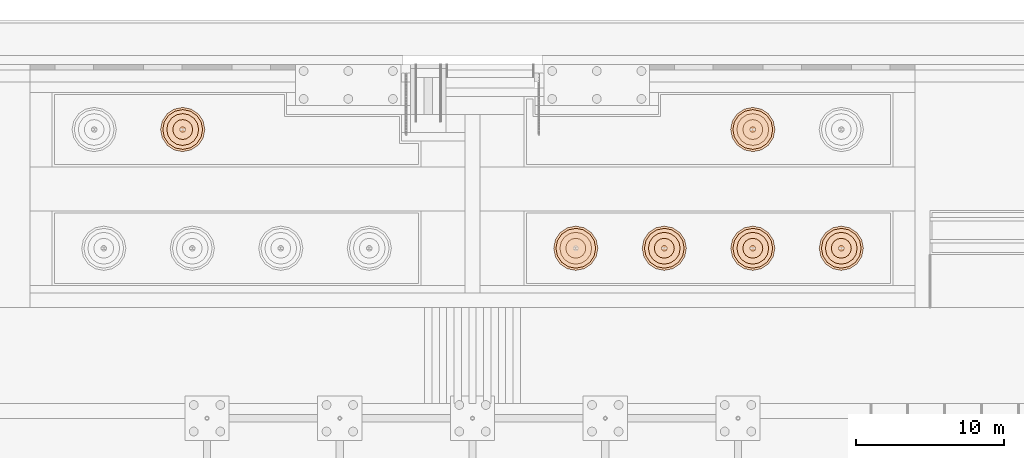
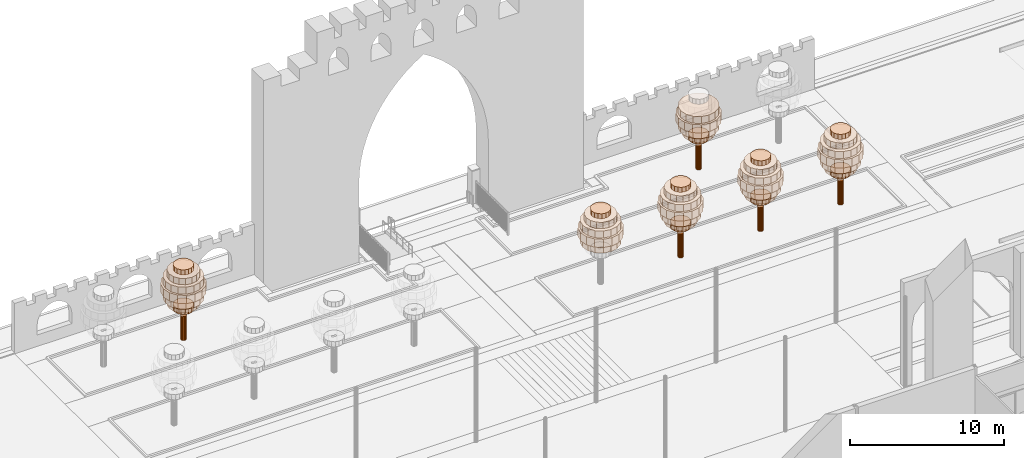
# One storey, part 247 of 250: 43 geographic elements.
"""IFC4 building model written with IfcOpenShell, lengths in metres."""

import ifcopenshell
import ifcopenshell.guid

model = None  # the IFC model being written
_history = None  # IfcOwnerHistory: only IFC2X3 demands one
_inside = {}  # id of a spatial element -> (the spatial element, [elements in it])
_under = {}  # id of a project, library or spatial element -> (it, [spatial elements below it])
_declared = {}  # id of a project -> (the project, [libraries it declares])
_typed = {}  # id of a type object -> (the type object, [elements of that type])
_made_of = {}  # id of a material, layer set ... -> (it, [elements and type objects made of it])


def new_model(schema):
    """Start an empty IFC model of exactly this schema.

    Asked for "IFC4X3", IfcOpenShell would pick the latest addendum, in which some entities
    have other attributes; the version numbers below select the first issue.
    IFC2X3 requires an IfcOwnerHistory on every rooted entity: one is made here for all.
    """
    global model, _history
    if schema == "IFC4X3":
        model = ifcopenshell.file(schema_version=(4, 3, 0, 0))
    else:
        model = ifcopenshell.file(schema=schema)
    _inside.clear()
    _under.clear()
    _declared.clear()
    _typed.clear()
    _made_of.clear()
    _history = None
    if model.schema == "IFC2X3":
        org = make("IfcOrganization", Name="unknown")
        user = make(
            "IfcPersonAndOrganization",
            ThePerson=make("IfcPerson", FamilyName="unknown"),
            TheOrganization=org,
        )
        app = make(
            "IfcApplication",
            ApplicationDeveloper=org,
            Version="unknown",
            ApplicationFullName="unknown",
            ApplicationIdentifier="unknown",
        )
        _history = make(
            "IfcOwnerHistory",
            OwningUser=user,
            OwningApplication=app,
            ChangeAction="ADDED",
            CreationDate=0,
        )
    return model


def make(cls, **values):
    """One entity of the class cls with the attributes given. An attribute that is None is left unset."""
    return model.create_entity(
        cls, **{name: value for name, value in values.items() if value is not None}
    )


def rooted(cls, **values):
    """An entity with a GlobalId (a new one), such as an element, a storey or a relation."""
    return make(cls, GlobalId=ifcopenshell.guid.new(), OwnerHistory=_history, **values)


def si_unit(unit_type, name, prefix=None):
    """IfcSIUnit, for example si_unit("LENGTHUNIT", "METRE", prefix="MILLI")."""
    return make("IfcSIUnit", UnitType=unit_type, Prefix=prefix, Name=name)


def assignment(units):
    """IfcUnitAssignment: the units of a project."""
    return None if units is None else make("IfcUnitAssignment", Units=units)


def point(xyz):
    """IfcCartesianPoint."""
    return None if xyz is None else make("IfcCartesianPoint", Coordinates=xyz)


def direction(xyz):
    """IfcDirection."""
    return None if xyz is None else make("IfcDirection", DirectionRatios=xyz)


def frame(location, z_axis=None, x_axis=None):
    """IfcAxis2Placement3D, a coordinate frame: its origin and axes. An axis left out is left unset."""
    return make(
        "IfcAxis2Placement3D",
        Location=point(location),
        Axis=direction(z_axis),
        RefDirection=direction(x_axis),
    )


def origin():
    """The frame at (0, 0, 0) with its axes left unset."""
    return frame((0.0, 0.0, 0.0))


def place(relative_to, where):
    """IfcLocalPlacement: puts the frame where relative to a parent placement (None: the world)."""
    return make(
        "IfcLocalPlacement", PlacementRelTo=relative_to, RelativePlacement=where
    )


def context(
    kind, dimensions, precision=None, world=None, true_north=None, identifier=None
):
    """IfcGeometricRepresentationContext, for example the 3D "Model" context."""
    return make(
        "IfcGeometricRepresentationContext",
        ContextIdentifier=identifier,
        ContextType=kind,
        CoordinateSpaceDimension=dimensions,
        Precision=precision,
        WorldCoordinateSystem=world,
        TrueNorth=true_north,
    )


def subcontext(parent, identifier, kind, view, scale=None):
    """IfcGeometricRepresentationSubContext, for example "Body" below "Model"."""
    return make(
        "IfcGeometricRepresentationSubContext",
        ContextIdentifier=identifier,
        ContextType=kind,
        ParentContext=parent,
        TargetScale=scale,
        TargetView=view,
    )


def project(units=None, contexts=None):
    """IfcProject with its units and contexts."""
    return rooted(
        "IfcProject",
        Name="project",
        RepresentationContexts=contexts,
        UnitsInContext=assignment(units),
    )


def spatial(cls, under=None, at=None, **own):
    """A site, building, storey or space (cls), placed at a placement, below another one or the project."""
    s = rooted(cls, ObjectPlacement=at, **own)
    if under is not None:
        _under.setdefault(under.id(), (under, []))[1].append(s)
    return s


def polyline(points):
    """IfcPolyline through the points."""
    return make("IfcPolyline", Points=[point(p) for p in points])


def outline(outer, holes=None, kind="AREA"):
    """IfcArbitraryClosedProfileDef: a profile drawn as a closed curve; with holes, ...WithVoids."""
    if holes is None:
        return make("IfcArbitraryClosedProfileDef", ProfileType=kind, OuterCurve=outer)
    return make(
        "IfcArbitraryProfileDefWithVoids",
        ProfileType=kind,
        OuterCurve=outer,
        InnerCurves=holes,
    )


def extrude(swept, where, along, depth):
    """IfcExtrudedAreaSolid: the profile swept, set in the frame where, extruded along a direction by depth."""
    return make(
        "IfcExtrudedAreaSolid",
        SweptArea=swept,
        Position=where,
        ExtrudedDirection=direction(along),
        Depth=depth,
    )


def shape(context_of_items, identifier, shape_type, items):
    """IfcShapeRepresentation: the items that make up one representation, for example the "Body"."""
    return make(
        "IfcShapeRepresentation",
        ContextOfItems=context_of_items,
        RepresentationIdentifier=identifier,
        RepresentationType=shape_type,
        Items=items,
    )


def material(Name=None, Category=None):
    """IfcMaterial."""
    return make("IfcMaterial", Name=Name, Category=Category)


def made_of(thing, what):
    """Note that an element or type object is made of a material, layer set ...; save() writes the relation."""
    if what is not None:
        _made_of.setdefault(what.id(), (what, []))[1].append(thing)
    return thing


def type_object(cls, material=None, **own):
    """A type object (cls), such as IfcWallType, which elements share."""
    return made_of(rooted(cls, **own), material)


def element(
    cls,
    number,
    at=None,
    inside=None,
    cuts=None,
    type_object=None,
    material=None,
    context=None,
    identifier="Body",
    shape_type=None,
    held_by="IfcProductDefinitionShape",
    body=None,
    shapes=None,
    **own,
):
    """One element of the class cls, such as IfcWall. Its Tag is "e" and its number.

    at: its placement. inside: the storey or other place that contains it. cuts: it is an
    opening in that element (IfcRelVoidsElement). A single representation is given by context,
    identifier, shape_type and body (its items); several are given by shapes. held_by: the class
    of the entity that holds the representations. save() writes the other relations.
    """
    e = rooted(cls, Tag="e%d" % number, ObjectPlacement=at, **own)
    if body is not None:
        shapes = [shape(context, identifier, shape_type, body)]
    if shapes is not None:
        e.Representation = make(held_by, Representations=shapes)
    if inside is not None:
        _inside.setdefault(inside.id(), (inside, []))[1].append(e)
    if cuts is not None:
        rooted(
            "IfcRelVoidsElement", RelatingBuildingElement=cuts, RelatedOpeningElement=e
        )
    if type_object is not None:
        _typed.setdefault(type_object.id(), (type_object, []))[1].append(e)
    return made_of(e, material)


def aggregate(whole, parts):
    """IfcRelAggregates: a whole, such as a stair, and the parts it consists of."""
    return rooted("IfcRelAggregates", RelatingObject=whole, RelatedObjects=parts)


def save(model, path):
    """Write the relations noted so far, then the file.

    IfcRelAggregates (storeys below a building ...), IfcRelContainedInSpatialStructure (elements
    in a storey), IfcRelDefinesByType, IfcRelAssociatesMaterial and IfcRelDeclares: one each for
    every whole, place, type object, material and project.
    """
    for whole, parts in _under.values():
        aggregate(whole, parts)
    for where, things in _inside.values():
        rooted(
            "IfcRelContainedInSpatialStructure",
            RelatedElements=things,
            RelatingStructure=where,
        )
    for kind, things in _typed.values():
        rooted("IfcRelDefinesByType", RelatedObjects=things, RelatingType=kind)
    for what, things in _made_of.values():
        rooted("IfcRelAssociatesMaterial", RelatedObjects=things, RelatingMaterial=what)
    for by, libraries in _declared.values():
        rooted("IfcRelDeclares", RelatingContext=by, RelatedDefinitions=libraries)
    model.write(path)


model = new_model("IFC4")

# Units and contexts
model_context = context("Model", 3, precision=1e-05, world=origin(), true_north=direction((0.0, 1.0)))
body_context = subcontext(model_context, "Body", "Model", "MODEL_VIEW")
ifc_project = project(units=[si_unit("LENGTHUNIT", "METRE"), si_unit("AREAUNIT", "SQUARE_METRE"), si_unit("VOLUMEUNIT", "CUBIC_METRE"), si_unit("PLANEANGLEUNIT", "RADIAN"), si_unit("MASSUNIT", "GRAM", prefix="KILO")], contexts=[model_context])

# Site, building, storey
site_placement = place(None, origin())
site = spatial("IfcSite", under=ifc_project, at=site_placement, CompositionType="ELEMENT")
building_placement = place(site_placement, origin())
building = spatial("IfcBuilding", under=site, at=building_placement, Name="Baradari Gate Terminus", CompositionType="ELEMENT")
storey_placement = place(building_placement, origin())
storey = spatial("IfcBuildingStorey", under=building, at=storey_placement, Name="L00", CompositionType="ELEMENT", Elevation=0.0)

# Geographic elements
ifc_material_1 = material(Name="Planted foliage, green")
geographic_element_type_1 = type_object("IfcGeographicElementType", Name="Garden tree crown, belly layer TR-9 2700x550", PredefinedType="USERDEFINED", material=ifc_material_1)
for number, where, name in (
    (1, (0.0, 0.0, 3.300048828125), "Garden tree 6 crown 3"),
    (2, (0.0, 0.0, 4.5), "Garden tree 6 crown 5"),
):
    element("IfcGeographicElement", number, at=place(storey_placement, frame(where)), inside=storey, type_object=geographic_element_type_1, Name=name, ObjectType="TREE", PredefinedType="USERDEFINED", context=body_context, shape_type="SweptSolid", body=[
        extrude(outline(polyline([(134.699951171875, 145.574951171875), (134.59716796875, 146.091552734375), (134.3046875, 146.529541015625), (133.86669921875, 146.822265625), (133.35009765625, 146.925048828125), (132.83349609375, 146.822265625), (132.3955078125, 146.529541015625), (132.102783203125, 146.091552734375), (132.0, 145.574951171875), (132.102783203125, 145.058349609375), (132.3955078125, 144.620361328125), (132.83349609375, 144.327880859375), (133.35009765625, 144.22509765625), (133.86669921875, 144.327880859375), (134.3046875, 144.620361328125), (134.59716796875, 145.058349609375), (134.699951171875, 145.574951171875)])), origin(), (0.0, 0.0, 1.0), 0.550048828125),
    ])
for number, where, name in (
    (3, (0.0, 0.0, 3.300048828125), "Garden tree 7 crown 3"),
    (4, (0.0, 0.0, 4.5), "Garden tree 7 crown 5"),
):
    element("IfcGeographicElement", number, at=place(storey_placement, frame(where)), inside=storey, type_object=geographic_element_type_1, Name=name, ObjectType="TREE", PredefinedType="USERDEFINED", context=body_context, shape_type="SweptSolid", body=[
        extrude(outline(polyline([(161.35009765625, 137.52490234375), (161.247314453125, 138.04150390625), (160.95458984375, 138.4794921875), (160.5166015625, 138.772216796875), (160.0, 138.875), (159.4833984375, 138.772216796875), (159.04541015625, 138.4794921875), (158.752685546875, 138.04150390625), (158.64990234375, 137.52490234375), (158.752685546875, 137.00830078125), (159.04541015625, 136.5703125), (159.4833984375, 136.27783203125), (160.0, 136.175048828125), (160.5166015625, 136.27783203125), (160.95458984375, 136.5703125), (161.247314453125, 137.00830078125), (161.35009765625, 137.52490234375)])), origin(), (0.0, 0.0, 1.0), 0.550048828125),
    ])
for number, where, name in (
    (5, (0.0, 0.0, 3.300048828125), "Garden tree 8 crown 3"),
    (6, (0.0, 0.0, 4.5), "Garden tree 8 crown 5"),
):
    element("IfcGeographicElement", number, at=place(storey_placement, frame(where)), inside=storey, type_object=geographic_element_type_1, Name=name, ObjectType="TREE", PredefinedType="USERDEFINED", context=body_context, shape_type="SweptSolid", body=[
        extrude(outline(polyline([(167.35009765625, 137.52490234375), (167.247314453125, 138.04150390625), (166.95458984375, 138.4794921875), (166.5166015625, 138.772216796875), (166.0, 138.875), (165.4833984375, 138.772216796875), (165.04541015625, 138.4794921875), (164.752685546875, 138.04150390625), (164.64990234375, 137.52490234375), (164.752685546875, 137.00830078125), (165.04541015625, 136.5703125), (165.4833984375, 136.27783203125), (166.0, 136.175048828125), (166.5166015625, 136.27783203125), (166.95458984375, 136.5703125), (167.247314453125, 137.00830078125), (167.35009765625, 137.52490234375)])), origin(), (0.0, 0.0, 1.0), 0.550048828125),
    ])
for number, where, name in (
    (7, (0.0, 0.0, 3.300048828125), "Garden tree 9 crown 3"),
    (8, (0.0, 0.0, 4.5), "Garden tree 9 crown 5"),
):
    element("IfcGeographicElement", number, at=place(storey_placement, frame(where)), inside=storey, type_object=geographic_element_type_1, Name=name, ObjectType="TREE", PredefinedType="USERDEFINED", context=body_context, shape_type="SweptSolid", body=[
        extrude(outline(polyline([(173.35009765625, 137.52490234375), (173.247314453125, 138.04150390625), (172.95458984375, 138.4794921875), (172.5166015625, 138.772216796875), (172.0, 138.875), (171.4833984375, 138.772216796875), (171.04541015625, 138.4794921875), (170.752685546875, 138.04150390625), (170.64990234375, 137.52490234375), (170.752685546875, 137.00830078125), (171.04541015625, 136.5703125), (171.4833984375, 136.27783203125), (172.0, 136.175048828125), (172.5166015625, 136.27783203125), (172.95458984375, 136.5703125), (173.247314453125, 137.00830078125), (173.35009765625, 137.52490234375)])), origin(), (0.0, 0.0, 1.0), 0.550048828125),
    ])
for number, where, name in (
    (9, (0.0, 0.0, 3.300048828125), "Garden tree 10 crown 3"),
    (10, (0.0, 0.0, 4.5), "Garden tree 10 crown 5"),
):
    element("IfcGeographicElement", number, at=place(storey_placement, frame(where)), inside=storey, type_object=geographic_element_type_1, Name=name, ObjectType="TREE", PredefinedType="USERDEFINED", context=body_context, shape_type="SweptSolid", body=[
        extrude(outline(polyline([(179.35009765625, 137.52490234375), (179.247314453125, 138.04150390625), (178.95458984375, 138.4794921875), (178.5166015625, 138.772216796875), (178.0, 138.875), (177.4833984375, 138.772216796875), (177.04541015625, 138.4794921875), (176.752685546875, 138.04150390625), (176.64990234375, 137.52490234375), (176.752685546875, 137.00830078125), (177.04541015625, 136.5703125), (177.4833984375, 136.27783203125), (178.0, 136.175048828125), (178.5166015625, 136.27783203125), (178.95458984375, 136.5703125), (179.247314453125, 137.00830078125), (179.35009765625, 137.52490234375)])), origin(), (0.0, 0.0, 1.0), 0.550048828125),
    ])
for number, where, name in (
    (11, (0.0, 0.0, 3.300048828125), "Garden tree 11 crown 3"),
    (12, (0.0, 0.0, 4.5), "Garden tree 11 crown 5"),
):
    element("IfcGeographicElement", number, at=place(storey_placement, frame(where)), inside=storey, type_object=geographic_element_type_1, Name=name, ObjectType="TREE", PredefinedType="USERDEFINED", context=body_context, shape_type="SweptSolid", body=[
        extrude(outline(polyline([(173.35009765625, 145.574951171875), (173.247314453125, 146.091552734375), (172.95458984375, 146.529541015625), (172.5166015625, 146.822265625), (172.0, 146.925048828125), (171.4833984375, 146.822265625), (171.04541015625, 146.529541015625), (170.752685546875, 146.091552734375), (170.64990234375, 145.574951171875), (170.752685546875, 145.058349609375), (171.04541015625, 144.620361328125), (171.4833984375, 144.327880859375), (172.0, 144.22509765625), (172.5166015625, 144.327880859375), (172.95458984375, 144.620361328125), (173.247314453125, 145.058349609375), (173.35009765625, 145.574951171875)])), origin(), (0.0, 0.0, 1.0), 0.550048828125),
    ])
ifc_material_2 = material(Name="Planted foliage, green")
geographic_element_type_2 = type_object("IfcGeographicElementType", Name="Garden tree crown, core layer TR-10 3000x650", PredefinedType="USERDEFINED", material=ifc_material_2)
geographic_element_1_placement = place(storey_placement, frame((0.0, 0.0, 3.85009765625)))
element("IfcGeographicElement", 13, at=geographic_element_1_placement, inside=storey, type_object=geographic_element_type_2, Name="Garden tree 6 crown 4", ObjectType="TREE", PredefinedType="USERDEFINED", context=body_context, shape_type="SweptSolid", body=[
    extrude(outline(polyline([(134.85009765625, 145.574951171875), (134.73583984375, 146.14892578125), (134.41064453125, 146.6357421875), (133.924072265625, 146.9609375), (133.35009765625, 147.074951171875), (132.77587890625, 146.9609375), (132.289306640625, 146.6357421875), (131.964111328125, 146.14892578125), (131.85009765625, 145.574951171875), (131.964111328125, 145.0009765625), (132.289306640625, 144.514404296875), (132.77587890625, 144.189208984375), (133.35009765625, 144.074951171875), (133.924072265625, 144.189208984375), (134.41064453125, 144.514404296875), (134.73583984375, 145.0009765625), (134.85009765625, 145.574951171875)])), origin(), (0.0, 0.0, 1.0), 0.64990234375),
])
geographic_element_2_placement = place(storey_placement, frame((0.0, 0.0, 3.85009765625)))
element("IfcGeographicElement", 14, at=geographic_element_2_placement, inside=storey, type_object=geographic_element_type_2, Name="Garden tree 7 crown 4", ObjectType="TREE", PredefinedType="USERDEFINED", context=body_context, shape_type="SweptSolid", body=[
    extrude(outline(polyline([(161.5, 137.52490234375), (161.3857421875, 138.09912109375), (161.060546875, 138.585693359375), (160.573974609375, 138.910888671875), (160.0, 139.02490234375), (159.426025390625, 138.910888671875), (158.939453125, 138.585693359375), (158.6142578125, 138.09912109375), (158.5, 137.52490234375), (158.6142578125, 136.950927734375), (158.939453125, 136.46435546875), (159.426025390625, 136.13916015625), (160.0, 136.02490234375), (160.573974609375, 136.13916015625), (161.060546875, 136.46435546875), (161.3857421875, 136.950927734375), (161.5, 137.52490234375)])), origin(), (0.0, 0.0, 1.0), 0.64990234375),
])
geographic_element_3_placement = place(storey_placement, frame((0.0, 0.0, 3.85009765625)))
element("IfcGeographicElement", 15, at=geographic_element_3_placement, inside=storey, type_object=geographic_element_type_2, Name="Garden tree 8 crown 4", ObjectType="TREE", PredefinedType="USERDEFINED", context=body_context, shape_type="SweptSolid", body=[
    extrude(outline(polyline([(167.5, 137.52490234375), (167.3857421875, 138.09912109375), (167.060546875, 138.585693359375), (166.573974609375, 138.910888671875), (166.0, 139.02490234375), (165.426025390625, 138.910888671875), (164.939453125, 138.585693359375), (164.6142578125, 138.09912109375), (164.5, 137.52490234375), (164.6142578125, 136.950927734375), (164.939453125, 136.46435546875), (165.426025390625, 136.13916015625), (166.0, 136.02490234375), (166.573974609375, 136.13916015625), (167.060546875, 136.46435546875), (167.3857421875, 136.950927734375), (167.5, 137.52490234375)])), origin(), (0.0, 0.0, 1.0), 0.64990234375),
])
geographic_element_4_placement = place(storey_placement, frame((0.0, 0.0, 3.85009765625)))
element("IfcGeographicElement", 16, at=geographic_element_4_placement, inside=storey, type_object=geographic_element_type_2, Name="Garden tree 9 crown 4", ObjectType="TREE", PredefinedType="USERDEFINED", context=body_context, shape_type="SweptSolid", body=[
    extrude(outline(polyline([(173.5, 137.52490234375), (173.3857421875, 138.09912109375), (173.060546875, 138.585693359375), (172.573974609375, 138.910888671875), (172.0, 139.02490234375), (171.426025390625, 138.910888671875), (170.939453125, 138.585693359375), (170.6142578125, 138.09912109375), (170.5, 137.52490234375), (170.6142578125, 136.950927734375), (170.939453125, 136.46435546875), (171.426025390625, 136.13916015625), (172.0, 136.02490234375), (172.573974609375, 136.13916015625), (173.060546875, 136.46435546875), (173.3857421875, 136.950927734375), (173.5, 137.52490234375)])), origin(), (0.0, 0.0, 1.0), 0.64990234375),
])
geographic_element_5_placement = place(storey_placement, frame((0.0, 0.0, 3.85009765625)))
element("IfcGeographicElement", 17, at=geographic_element_5_placement, inside=storey, type_object=geographic_element_type_2, Name="Garden tree 10 crown 4", ObjectType="TREE", PredefinedType="USERDEFINED", context=body_context, shape_type="SweptSolid", body=[
    extrude(outline(polyline([(179.5, 137.52490234375), (179.3857421875, 138.09912109375), (179.060546875, 138.585693359375), (178.573974609375, 138.910888671875), (178.0, 139.02490234375), (177.426025390625, 138.910888671875), (176.939453125, 138.585693359375), (176.6142578125, 138.09912109375), (176.5, 137.52490234375), (176.6142578125, 136.950927734375), (176.939453125, 136.46435546875), (177.426025390625, 136.13916015625), (178.0, 136.02490234375), (178.573974609375, 136.13916015625), (179.060546875, 136.46435546875), (179.3857421875, 136.950927734375), (179.5, 137.52490234375)])), origin(), (0.0, 0.0, 1.0), 0.64990234375),
])
geographic_element_6_placement = place(storey_placement, frame((0.0, 0.0, 3.85009765625)))
element("IfcGeographicElement", 18, at=geographic_element_6_placement, inside=storey, type_object=geographic_element_type_2, Name="Garden tree 11 crown 4", ObjectType="TREE", PredefinedType="USERDEFINED", context=body_context, shape_type="SweptSolid", body=[
    extrude(outline(polyline([(173.5, 145.574951171875), (173.3857421875, 146.14892578125), (173.060546875, 146.6357421875), (172.573974609375, 146.9609375), (172.0, 147.074951171875), (171.426025390625, 146.9609375), (170.939453125, 146.6357421875), (170.6142578125, 146.14892578125), (170.5, 145.574951171875), (170.6142578125, 145.0009765625), (170.939453125, 144.514404296875), (171.426025390625, 144.189208984375), (172.0, 144.074951171875), (172.573974609375, 144.189208984375), (173.060546875, 144.514404296875), (173.3857421875, 145.0009765625), (173.5, 145.574951171875)])), origin(), (0.0, 0.0, 1.0), 0.64990234375),
])
ifc_material_3 = material(Name="Planted foliage, green")
geographic_element_type_3 = type_object("IfcGeographicElementType", Name="Garden tree crown, rim layer TR-7 1350x400", PredefinedType="USERDEFINED", material=ifc_material_3)
geographic_element_7_placement = place(storey_placement, frame((0.0, 0.0, 2.39990234375)))
element("IfcGeographicElement", 19, at=geographic_element_7_placement, inside=storey, type_object=geographic_element_type_3, Name="Garden tree 6 crown 1", ObjectType="TREE", PredefinedType="USERDEFINED", context=body_context, shape_type="SweptSolid", body=[
    extrude(outline(polyline([(134.02490234375, 145.574951171875), (133.9736328125, 145.833251953125), (133.827392578125, 146.05224609375), (133.6083984375, 146.19873046875), (133.35009765625, 146.25), (133.091796875, 146.19873046875), (132.872802734375, 146.05224609375), (132.726318359375, 145.833251953125), (132.675048828125, 145.574951171875), (132.726318359375, 145.316650390625), (132.872802734375, 145.09765625), (133.091796875, 144.951416015625), (133.35009765625, 144.89990234375), (133.6083984375, 144.951416015625), (133.827392578125, 145.09765625), (133.9736328125, 145.316650390625), (134.02490234375, 145.574951171875)])), origin(), (0.0, 0.0, 1.0), 0.400146484375),
])
geographic_element_8_placement = place(storey_placement, frame((0.0, 0.0, 5.550048828125)))
element("IfcGeographicElement", 20, at=geographic_element_8_placement, inside=storey, type_object=geographic_element_type_3, Name="Garden tree 6 crown 7", ObjectType="TREE", PredefinedType="USERDEFINED", context=body_context, shape_type="SweptSolid", body=[
    extrude(outline(polyline([(134.02490234375, 145.574951171875), (133.9736328125, 145.833251953125), (133.827392578125, 146.05224609375), (133.6083984375, 146.19873046875), (133.35009765625, 146.25), (133.091796875, 146.19873046875), (132.872802734375, 146.05224609375), (132.726318359375, 145.833251953125), (132.675048828125, 145.574951171875), (132.726318359375, 145.316650390625), (132.872802734375, 145.09765625), (133.091796875, 144.951416015625), (133.35009765625, 144.89990234375), (133.6083984375, 144.951416015625), (133.827392578125, 145.09765625), (133.9736328125, 145.316650390625), (134.02490234375, 145.574951171875)])), origin(), (0.0, 0.0, 1.0), 0.39990234375),
])
geographic_element_9_placement = place(storey_placement, frame((0.0, 0.0, 5.550048828125)))
element("IfcGeographicElement", 21, at=geographic_element_9_placement, inside=storey, type_object=geographic_element_type_3, Name="Garden tree 7 crown 7", ObjectType="TREE", PredefinedType="USERDEFINED", context=body_context, shape_type="SweptSolid", body=[
    extrude(outline(polyline([(160.675048828125, 137.52490234375), (160.62353515625, 137.783203125), (160.477294921875, 138.002197265625), (160.25830078125, 138.148681640625), (160.0, 138.199951171875), (159.74169921875, 138.148681640625), (159.522705078125, 138.002197265625), (159.37646484375, 137.783203125), (159.324951171875, 137.52490234375), (159.37646484375, 137.2666015625), (159.522705078125, 137.047607421875), (159.74169921875, 136.9013671875), (160.0, 136.85009765625), (160.25830078125, 136.9013671875), (160.477294921875, 137.047607421875), (160.62353515625, 137.2666015625), (160.675048828125, 137.52490234375)])), origin(), (0.0, 0.0, 1.0), 0.39990234375),
])
geographic_element_10_placement = place(storey_placement, frame((0.0, 0.0, 2.39990234375)))
element("IfcGeographicElement", 22, at=geographic_element_10_placement, inside=storey, type_object=geographic_element_type_3, Name="Garden tree 8 crown 1", ObjectType="TREE", PredefinedType="USERDEFINED", context=body_context, shape_type="SweptSolid", body=[
    extrude(outline(polyline([(166.675048828125, 137.52490234375), (166.62353515625, 137.783203125), (166.477294921875, 138.002197265625), (166.25830078125, 138.148681640625), (166.0, 138.199951171875), (165.74169921875, 138.148681640625), (165.522705078125, 138.002197265625), (165.37646484375, 137.783203125), (165.324951171875, 137.52490234375), (165.37646484375, 137.2666015625), (165.522705078125, 137.047607421875), (165.74169921875, 136.9013671875), (166.0, 136.85009765625), (166.25830078125, 136.9013671875), (166.477294921875, 137.047607421875), (166.62353515625, 137.2666015625), (166.675048828125, 137.52490234375)])), origin(), (0.0, 0.0, 1.0), 0.400146484375),
])
geographic_element_11_placement = place(storey_placement, frame((0.0, 0.0, 5.550048828125)))
element("IfcGeographicElement", 23, at=geographic_element_11_placement, inside=storey, type_object=geographic_element_type_3, Name="Garden tree 8 crown 7", ObjectType="TREE", PredefinedType="USERDEFINED", context=body_context, shape_type="SweptSolid", body=[
    extrude(outline(polyline([(166.675048828125, 137.52490234375), (166.62353515625, 137.783203125), (166.477294921875, 138.002197265625), (166.25830078125, 138.148681640625), (166.0, 138.199951171875), (165.74169921875, 138.148681640625), (165.522705078125, 138.002197265625), (165.37646484375, 137.783203125), (165.324951171875, 137.52490234375), (165.37646484375, 137.2666015625), (165.522705078125, 137.047607421875), (165.74169921875, 136.9013671875), (166.0, 136.85009765625), (166.25830078125, 136.9013671875), (166.477294921875, 137.047607421875), (166.62353515625, 137.2666015625), (166.675048828125, 137.52490234375)])), origin(), (0.0, 0.0, 1.0), 0.39990234375),
])
geographic_element_12_placement = place(storey_placement, frame((0.0, 0.0, 2.39990234375)))
element("IfcGeographicElement", 24, at=geographic_element_12_placement, inside=storey, type_object=geographic_element_type_3, Name="Garden tree 9 crown 1", ObjectType="TREE", PredefinedType="USERDEFINED", context=body_context, shape_type="SweptSolid", body=[
    extrude(outline(polyline([(172.675048828125, 137.52490234375), (172.62353515625, 137.783203125), (172.477294921875, 138.002197265625), (172.25830078125, 138.148681640625), (172.0, 138.199951171875), (171.74169921875, 138.148681640625), (171.522705078125, 138.002197265625), (171.37646484375, 137.783203125), (171.324951171875, 137.52490234375), (171.37646484375, 137.2666015625), (171.522705078125, 137.047607421875), (171.74169921875, 136.9013671875), (172.0, 136.85009765625), (172.25830078125, 136.9013671875), (172.477294921875, 137.047607421875), (172.62353515625, 137.2666015625), (172.675048828125, 137.52490234375)])), origin(), (0.0, 0.0, 1.0), 0.400146484375),
])
geographic_element_13_placement = place(storey_placement, frame((0.0, 0.0, 5.550048828125)))
element("IfcGeographicElement", 25, at=geographic_element_13_placement, inside=storey, type_object=geographic_element_type_3, Name="Garden tree 9 crown 7", ObjectType="TREE", PredefinedType="USERDEFINED", context=body_context, shape_type="SweptSolid", body=[
    extrude(outline(polyline([(172.675048828125, 137.52490234375), (172.62353515625, 137.783203125), (172.477294921875, 138.002197265625), (172.25830078125, 138.148681640625), (172.0, 138.199951171875), (171.74169921875, 138.148681640625), (171.522705078125, 138.002197265625), (171.37646484375, 137.783203125), (171.324951171875, 137.52490234375), (171.37646484375, 137.2666015625), (171.522705078125, 137.047607421875), (171.74169921875, 136.9013671875), (172.0, 136.85009765625), (172.25830078125, 136.9013671875), (172.477294921875, 137.047607421875), (172.62353515625, 137.2666015625), (172.675048828125, 137.52490234375)])), origin(), (0.0, 0.0, 1.0), 0.39990234375),
])
geographic_element_14_placement = place(storey_placement, frame((0.0, 0.0, 2.39990234375)))
element("IfcGeographicElement", 26, at=geographic_element_14_placement, inside=storey, type_object=geographic_element_type_3, Name="Garden tree 10 crown 1", ObjectType="TREE", PredefinedType="USERDEFINED", context=body_context, shape_type="SweptSolid", body=[
    extrude(outline(polyline([(178.675048828125, 137.52490234375), (178.62353515625, 137.783203125), (178.477294921875, 138.002197265625), (178.25830078125, 138.148681640625), (178.0, 138.199951171875), (177.74169921875, 138.148681640625), (177.522705078125, 138.002197265625), (177.37646484375, 137.783203125), (177.324951171875, 137.52490234375), (177.37646484375, 137.2666015625), (177.522705078125, 137.047607421875), (177.74169921875, 136.9013671875), (178.0, 136.85009765625), (178.25830078125, 136.9013671875), (178.477294921875, 137.047607421875), (178.62353515625, 137.2666015625), (178.675048828125, 137.52490234375)])), origin(), (0.0, 0.0, 1.0), 0.400146484375),
])
geographic_element_15_placement = place(storey_placement, frame((0.0, 0.0, 5.550048828125)))
element("IfcGeographicElement", 27, at=geographic_element_15_placement, inside=storey, type_object=geographic_element_type_3, Name="Garden tree 10 crown 7", ObjectType="TREE", PredefinedType="USERDEFINED", context=body_context, shape_type="SweptSolid", body=[
    extrude(outline(polyline([(178.675048828125, 137.52490234375), (178.62353515625, 137.783203125), (178.477294921875, 138.002197265625), (178.25830078125, 138.148681640625), (178.0, 138.199951171875), (177.74169921875, 138.148681640625), (177.522705078125, 138.002197265625), (177.37646484375, 137.783203125), (177.324951171875, 137.52490234375), (177.37646484375, 137.2666015625), (177.522705078125, 137.047607421875), (177.74169921875, 136.9013671875), (178.0, 136.85009765625), (178.25830078125, 136.9013671875), (178.477294921875, 137.047607421875), (178.62353515625, 137.2666015625), (178.675048828125, 137.52490234375)])), origin(), (0.0, 0.0, 1.0), 0.39990234375),
])
geographic_element_16_placement = place(storey_placement, frame((0.0, 0.0, 2.39990234375)))
element("IfcGeographicElement", 28, at=geographic_element_16_placement, inside=storey, type_object=geographic_element_type_3, Name="Garden tree 11 crown 1", ObjectType="TREE", PredefinedType="USERDEFINED", context=body_context, shape_type="SweptSolid", body=[
    extrude(outline(polyline([(172.675048828125, 145.574951171875), (172.62353515625, 145.833251953125), (172.477294921875, 146.05224609375), (172.25830078125, 146.19873046875), (172.0, 146.25), (171.74169921875, 146.19873046875), (171.522705078125, 146.05224609375), (171.37646484375, 145.833251953125), (171.324951171875, 145.574951171875), (171.37646484375, 145.316650390625), (171.522705078125, 145.09765625), (171.74169921875, 144.951416015625), (172.0, 144.89990234375), (172.25830078125, 144.951416015625), (172.477294921875, 145.09765625), (172.62353515625, 145.316650390625), (172.675048828125, 145.574951171875)])), origin(), (0.0, 0.0, 1.0), 0.400146484375),
])
ifc_material_4 = material(Name="Planted foliage, green")
geographic_element_type_4 = type_object("IfcGeographicElementType", Name="Garden tree crown, shoulder layer TR-8 2160x500", PredefinedType="USERDEFINED", material=ifc_material_4)
for number, where, name in (
    (29, (0.0, 0.0, 2.800048828125), "Garden tree 6 crown 2"),
    (30, (0.0, 0.0, 5.050048828125), "Garden tree 6 crown 6"),
):
    element("IfcGeographicElement", number, at=place(storey_placement, frame(where)), inside=storey, type_object=geographic_element_type_4, Name=name, ObjectType="TREE", PredefinedType="USERDEFINED", context=body_context, shape_type="SweptSolid", body=[
        extrude(outline(polyline([(134.429931640625, 145.574951171875), (134.347900390625, 145.98828125), (134.11376953125, 146.338623046875), (133.76318359375, 146.57275390625), (133.35009765625, 146.655029296875), (132.936767578125, 146.57275390625), (132.58642578125, 146.338623046875), (132.352294921875, 145.98828125), (132.27001953125, 145.574951171875), (132.352294921875, 145.16162109375), (132.58642578125, 144.811279296875), (132.936767578125, 144.5771484375), (133.35009765625, 144.4951171875), (133.76318359375, 144.5771484375), (134.11376953125, 144.811279296875), (134.347900390625, 145.16162109375), (134.429931640625, 145.574951171875)])), origin(), (0.0, 0.0, 1.0), 0.5),
    ])
geographic_element_17_placement = place(storey_placement, frame((0.0, 0.0, 5.050048828125)))
element("IfcGeographicElement", 31, at=geographic_element_17_placement, inside=storey, type_object=geographic_element_type_4, Name="Garden tree 7 crown 6", ObjectType="TREE", PredefinedType="USERDEFINED", context=body_context, shape_type="SweptSolid", body=[
    extrude(outline(polyline([(161.080078125, 137.52490234375), (160.997802734375, 137.938232421875), (160.763671875, 138.28857421875), (160.413330078125, 138.522705078125), (160.0, 138.60498046875), (159.586669921875, 138.522705078125), (159.236328125, 138.28857421875), (159.002197265625, 137.938232421875), (158.919921875, 137.52490234375), (159.002197265625, 137.11181640625), (159.236328125, 136.76123046875), (159.586669921875, 136.527099609375), (160.0, 136.445068359375), (160.413330078125, 136.527099609375), (160.763671875, 136.76123046875), (160.997802734375, 137.11181640625), (161.080078125, 137.52490234375)])), origin(), (0.0, 0.0, 1.0), 0.5),
])
for number, where, name in (
    (32, (0.0, 0.0, 2.800048828125), "Garden tree 8 crown 2"),
    (33, (0.0, 0.0, 5.050048828125), "Garden tree 8 crown 6"),
):
    element("IfcGeographicElement", number, at=place(storey_placement, frame(where)), inside=storey, type_object=geographic_element_type_4, Name=name, ObjectType="TREE", PredefinedType="USERDEFINED", context=body_context, shape_type="SweptSolid", body=[
        extrude(outline(polyline([(167.080078125, 137.52490234375), (166.997802734375, 137.938232421875), (166.763671875, 138.28857421875), (166.413330078125, 138.522705078125), (166.0, 138.60498046875), (165.586669921875, 138.522705078125), (165.236328125, 138.28857421875), (165.002197265625, 137.938232421875), (164.919921875, 137.52490234375), (165.002197265625, 137.11181640625), (165.236328125, 136.76123046875), (165.586669921875, 136.527099609375), (166.0, 136.445068359375), (166.413330078125, 136.527099609375), (166.763671875, 136.76123046875), (166.997802734375, 137.11181640625), (167.080078125, 137.52490234375)])), origin(), (0.0, 0.0, 1.0), 0.5),
    ])
for number, where, name in (
    (34, (0.0, 0.0, 2.800048828125), "Garden tree 9 crown 2"),
    (35, (0.0, 0.0, 5.050048828125), "Garden tree 9 crown 6"),
):
    element("IfcGeographicElement", number, at=place(storey_placement, frame(where)), inside=storey, type_object=geographic_element_type_4, Name=name, ObjectType="TREE", PredefinedType="USERDEFINED", context=body_context, shape_type="SweptSolid", body=[
        extrude(outline(polyline([(173.080078125, 137.52490234375), (172.997802734375, 137.938232421875), (172.763671875, 138.28857421875), (172.413330078125, 138.522705078125), (172.0, 138.60498046875), (171.586669921875, 138.522705078125), (171.236328125, 138.28857421875), (171.002197265625, 137.938232421875), (170.919921875, 137.52490234375), (171.002197265625, 137.11181640625), (171.236328125, 136.76123046875), (171.586669921875, 136.527099609375), (172.0, 136.445068359375), (172.413330078125, 136.527099609375), (172.763671875, 136.76123046875), (172.997802734375, 137.11181640625), (173.080078125, 137.52490234375)])), origin(), (0.0, 0.0, 1.0), 0.5),
    ])
for number, where, name in (
    (36, (0.0, 0.0, 2.800048828125), "Garden tree 10 crown 2"),
    (37, (0.0, 0.0, 5.050048828125), "Garden tree 10 crown 6"),
):
    element("IfcGeographicElement", number, at=place(storey_placement, frame(where)), inside=storey, type_object=geographic_element_type_4, Name=name, ObjectType="TREE", PredefinedType="USERDEFINED", context=body_context, shape_type="SweptSolid", body=[
        extrude(outline(polyline([(179.080078125, 137.52490234375), (178.997802734375, 137.938232421875), (178.763671875, 138.28857421875), (178.413330078125, 138.522705078125), (178.0, 138.60498046875), (177.586669921875, 138.522705078125), (177.236328125, 138.28857421875), (177.002197265625, 137.938232421875), (176.919921875, 137.52490234375), (177.002197265625, 137.11181640625), (177.236328125, 136.76123046875), (177.586669921875, 136.527099609375), (178.0, 136.445068359375), (178.413330078125, 136.527099609375), (178.763671875, 136.76123046875), (178.997802734375, 137.11181640625), (179.080078125, 137.52490234375)])), origin(), (0.0, 0.0, 1.0), 0.5),
    ])
geographic_element_18_placement = place(storey_placement, frame((0.0, 0.0, 2.800048828125)))
element("IfcGeographicElement", 38, at=geographic_element_18_placement, inside=storey, type_object=geographic_element_type_4, Name="Garden tree 11 crown 2", ObjectType="TREE", PredefinedType="USERDEFINED", context=body_context, shape_type="SweptSolid", body=[
    extrude(outline(polyline([(173.080078125, 145.574951171875), (172.997802734375, 145.98828125), (172.763671875, 146.338623046875), (172.413330078125, 146.57275390625), (172.0, 146.655029296875), (171.586669921875, 146.57275390625), (171.236328125, 146.338623046875), (171.002197265625, 145.98828125), (170.919921875, 145.574951171875), (171.002197265625, 145.16162109375), (171.236328125, 144.811279296875), (171.586669921875, 144.5771484375), (172.0, 144.4951171875), (172.413330078125, 144.5771484375), (172.763671875, 144.811279296875), (172.997802734375, 145.16162109375), (173.080078125, 145.574951171875)])), origin(), (0.0, 0.0, 1.0), 0.5),
])
ifc_material_5 = material(Name="Timber, hardwood", Category="wood")
geographic_element_type_5 = type_object("IfcGeographicElementType", Name="Garden tree trunk TR-6 380x1900", PredefinedType="USERDEFINED", material=ifc_material_5)
geographic_element_19_placement = place(storey_placement, origin())
element("IfcGeographicElement", 39, at=geographic_element_19_placement, inside=storey, type_object=geographic_element_type_5, Name="Garden tree 6 trunk", ObjectType="TREE", PredefinedType="USERDEFINED", context=body_context, shape_type="SweptSolid", body=[
    extrude(outline(polyline([(133.5400390625, 145.574951171875), (133.525634765625, 145.647705078125), (133.484375, 145.709228515625), (133.422607421875, 145.75048828125), (133.35009765625, 145.764892578125), (133.27734375, 145.75048828125), (133.215576171875, 145.709228515625), (133.174560546875, 145.647705078125), (133.159912109375, 145.574951171875), (133.174560546875, 145.502197265625), (133.215576171875, 145.440673828125), (133.27734375, 145.3994140625), (133.35009765625, 145.385009765625), (133.422607421875, 145.3994140625), (133.484375, 145.440673828125), (133.525634765625, 145.502197265625), (133.5400390625, 145.574951171875)])), origin(), (0.0, 0.0, 1.0), 1.89990234375),
])
geographic_element_20_placement = place(storey_placement, origin())
element("IfcGeographicElement", 40, at=geographic_element_20_placement, inside=storey, type_object=geographic_element_type_5, Name="Garden tree 8 trunk", ObjectType="TREE", PredefinedType="USERDEFINED", context=body_context, shape_type="SweptSolid", body=[
    extrude(outline(polyline([(166.18994140625, 137.52490234375), (166.175537109375, 137.59765625), (166.13427734375, 137.659423828125), (166.07275390625, 137.700439453125), (166.0, 137.715087890625), (165.92724609375, 137.700439453125), (165.86572265625, 137.659423828125), (165.824462890625, 137.59765625), (165.81005859375, 137.52490234375), (165.824462890625, 137.452392578125), (165.86572265625, 137.390625), (165.92724609375, 137.349365234375), (166.0, 137.3349609375), (166.07275390625, 137.349365234375), (166.13427734375, 137.390625), (166.175537109375, 137.452392578125), (166.18994140625, 137.52490234375)])), origin(), (0.0, 0.0, 1.0), 1.89990234375),
])
geographic_element_21_placement = place(storey_placement, origin())
element("IfcGeographicElement", 41, at=geographic_element_21_placement, inside=storey, type_object=geographic_element_type_5, Name="Garden tree 9 trunk", ObjectType="TREE", PredefinedType="USERDEFINED", context=body_context, shape_type="SweptSolid", body=[
    extrude(outline(polyline([(172.18994140625, 137.52490234375), (172.175537109375, 137.59765625), (172.13427734375, 137.659423828125), (172.07275390625, 137.700439453125), (172.0, 137.715087890625), (171.92724609375, 137.700439453125), (171.86572265625, 137.659423828125), (171.824462890625, 137.59765625), (171.81005859375, 137.52490234375), (171.824462890625, 137.452392578125), (171.86572265625, 137.390625), (171.92724609375, 137.349365234375), (172.0, 137.3349609375), (172.07275390625, 137.349365234375), (172.13427734375, 137.390625), (172.175537109375, 137.452392578125), (172.18994140625, 137.52490234375)])), origin(), (0.0, 0.0, 1.0), 1.89990234375),
])
geographic_element_22_placement = place(storey_placement, origin())
element("IfcGeographicElement", 42, at=geographic_element_22_placement, inside=storey, type_object=geographic_element_type_5, Name="Garden tree 10 trunk", ObjectType="TREE", PredefinedType="USERDEFINED", context=body_context, shape_type="SweptSolid", body=[
    extrude(outline(polyline([(178.18994140625, 137.52490234375), (178.175537109375, 137.59765625), (178.13427734375, 137.659423828125), (178.07275390625, 137.700439453125), (178.0, 137.715087890625), (177.92724609375, 137.700439453125), (177.86572265625, 137.659423828125), (177.824462890625, 137.59765625), (177.81005859375, 137.52490234375), (177.824462890625, 137.452392578125), (177.86572265625, 137.390625), (177.92724609375, 137.349365234375), (178.0, 137.3349609375), (178.07275390625, 137.349365234375), (178.13427734375, 137.390625), (178.175537109375, 137.452392578125), (178.18994140625, 137.52490234375)])), origin(), (0.0, 0.0, 1.0), 1.89990234375),
])
geographic_element_23_placement = place(storey_placement, origin())
element("IfcGeographicElement", 43, at=geographic_element_23_placement, inside=storey, type_object=geographic_element_type_5, Name="Garden tree 11 trunk", ObjectType="TREE", PredefinedType="USERDEFINED", context=body_context, shape_type="SweptSolid", body=[
    extrude(outline(polyline([(172.18994140625, 145.574951171875), (172.175537109375, 145.647705078125), (172.13427734375, 145.709228515625), (172.07275390625, 145.75048828125), (172.0, 145.764892578125), (171.92724609375, 145.75048828125), (171.86572265625, 145.709228515625), (171.824462890625, 145.647705078125), (171.81005859375, 145.574951171875), (171.824462890625, 145.502197265625), (171.86572265625, 145.440673828125), (171.92724609375, 145.3994140625), (172.0, 145.385009765625), (172.07275390625, 145.3994140625), (172.13427734375, 145.440673828125), (172.175537109375, 145.502197265625), (172.18994140625, 145.574951171875)])), origin(), (0.0, 0.0, 1.0), 1.89990234375),
])

save(model, "model.ifc")
